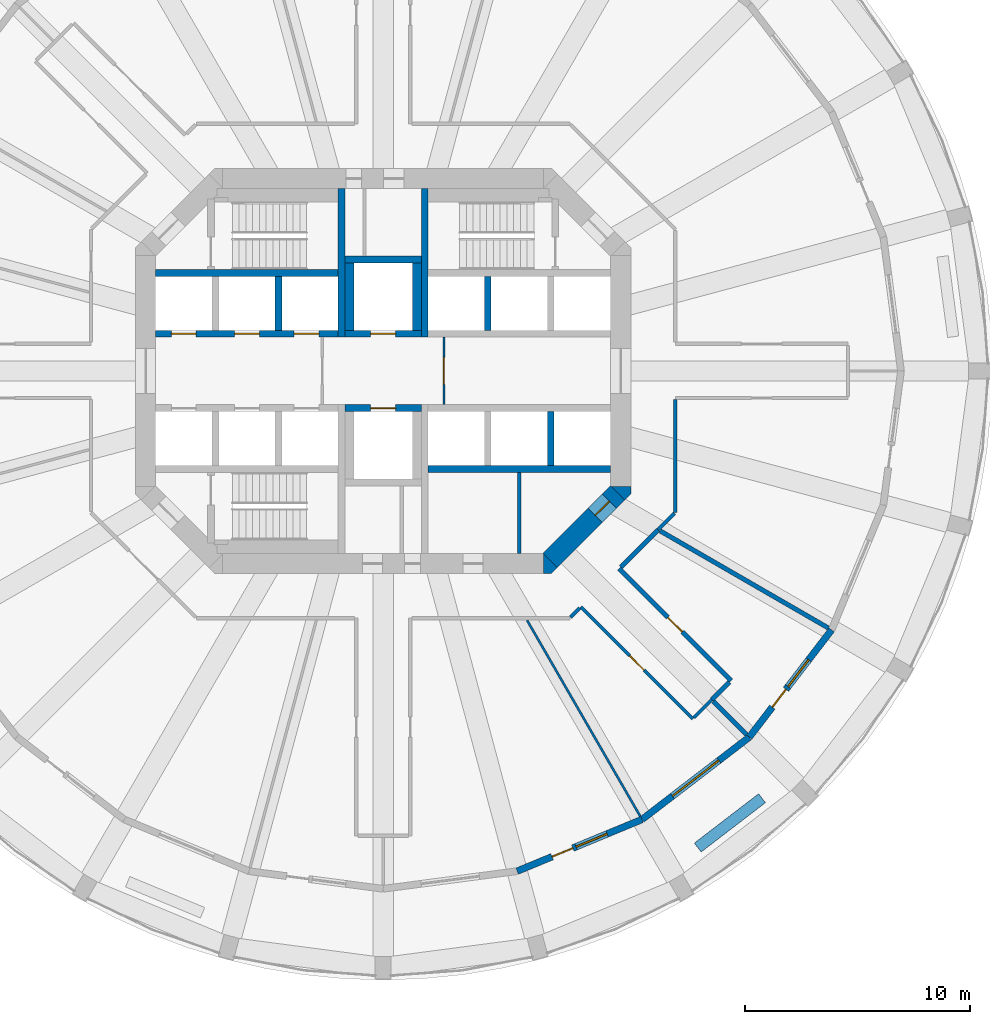
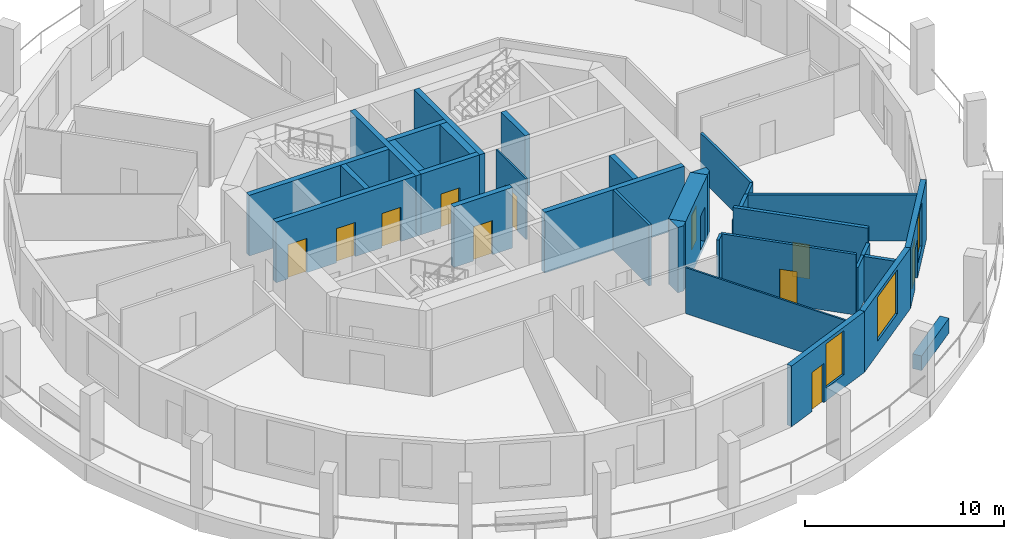
# One storey, part 4 of 9: 33 walls, 11 doors, 3 windows, 14 openings.
"""IFC4 building model written with IfcOpenShell, lengths in metres."""

from ifc_helpers import new_model, si_unit, direction, frame, frame_2d, origin, place, context, subcontext, project, spatial, polyline, rectangle, outline, extrude, material, layer, layer_set, type_object, element, fill, save


model = new_model("IFC4")

# Units and contexts
model_context = context("Model", 3, precision=1e-05, world=origin(), true_north=direction((0.0, 1.0)))
body_context = subcontext(model_context, "Body", "Model", "MODEL_VIEW")
ifc_project = project(units=[si_unit("LENGTHUNIT", "METRE"), si_unit("AREAUNIT", "SQUARE_METRE"), si_unit("VOLUMEUNIT", "CUBIC_METRE"), si_unit("PLANEANGLEUNIT", "RADIAN"), si_unit("MASSUNIT", "GRAM", prefix="KILO")], contexts=[model_context])

# Site, building, storey
site_placement = place(None, origin())
site = spatial("IfcSite", under=ifc_project, at=site_placement, CompositionType="ELEMENT")
building_placement = place(site_placement, origin())
building = spatial("IfcBuilding", under=site, at=building_placement, Name="Torre Triforio", CompositionType="ELEMENT")
storey_placement = place(building_placement, frame((0.0, 0.0, 27.0)))
storey = spatial("IfcBuildingStorey", under=building, at=storey_placement, Name="L04", CompositionType="ELEMENT", Elevation=27.0)

# Walls
ifc_material_1 = material(Name="Concrete C60", Category="concrete")
ifc_layer_1 = layer(ifc_material_1, 0.300048828125)
ifc_layer_set_1 = layer_set([ifc_layer_1], Name="Concrete C60")
wall_type_1 = type_object("IfcWallType", Name="Core wall 300 mm C60 EI 120", PredefinedType="SHEAR", material=ifc_layer_set_1)
for number, where, z_axis, x_axis, name in (
    (1, (-1.85009765625, 1.5, 0.0), (0.0, 0.0, 1.0), (0.0, 1.0, 0.0), "Core wall"),
    (2, (1.85009765625, 1.5, 0.0), (0.0, 0.0, 1.0), (0.0, 1.0, 0.0), "Core wall"),
):
    element("IfcWall", number, at=place(storey_placement, frame(where, z_axis=z_axis, x_axis=x_axis)), inside=storey, type_object=wall_type_1, Name=name, PredefinedType="SHEAR", context=body_context, shape_type="SweptSolid", body=[
        extrude(rectangle(XDim=6.60009765625, YDim=0.300048828125, at=frame_2d((3.300048828125, 0.0))), origin(), (0.0, 0.0, 1.0), 3.719970703125),
    ])

# Wall, opening, door
ifc_layer_2 = layer(ifc_material_1, 0.89990234375)
ifc_layer_set_2 = layer_set([ifc_layer_2], Name="Concrete C60")
wall_type_2 = type_object("IfcWallType", Name="Core wall 900 mm C60 EI 120", PredefinedType="SHEAR", material=ifc_layer_set_2)
wall_1_placement = place(storey_placement, frame((10.418212890625, -5.418212890625, -0.280029296875), z_axis=(0.0, 0.0, 1.0), x_axis=(-0.707106781187, -0.707106781187, 0.0)))
wall_1 = element("IfcWall", 3, at=wall_1_placement, inside=storey, type_object=wall_type_2, Name="Core wall", PredefinedType="SHEAR", context=body_context, shape_type="SweptSolid", body=[
    extrude(rectangle(XDim=4.24267578125, YDim=0.89990234375, at=frame_2d((2.121337890625, 0.0))), origin(), (0.0, 0.0, 1.0), 4.0),
])
opening_1_placement = place(wall_1_placement, frame((0.52001953125, 0.0, 0.280029296875)))
opening_1 = element("IfcOpeningElement", 4, at=opening_1_placement, cuts=wall_1, Name="Opening SE-02", PredefinedType="OPENING", context=body_context, shape_type="SweptSolid", body=[
    extrude(rectangle(XDim=0.89990234375, YDim=2.10009765625, at=frame_2d((0.449951171875, 1.050048828125))), frame((0.0, 0.4599609375, 0.0), z_axis=(0.0, -1.0, 0.0), x_axis=(1.0, 0.0, 0.0)), (0.0, 0.0, 1.0), 0.919921875),
])
ifc_material_2 = material(Name="Hollow metal fire door leaf")
door_type_1 = type_object("IfcDoorType", Name="Room door 900 x 2100 EI 60", OperationType="NOTDEFINED", PredefinedType="DOOR", material=ifc_material_2)
door_1_placement = place(opening_1_placement, origin())
door_1 = element("IfcDoor", 5, at=door_1_placement, inside=storey, type_object=door_type_1, Name="Core door SE-02", OperationType="SINGLE_SWING_RIGHT", OverallHeight=2.10009765625, OverallWidth=0.89990234375, PredefinedType="DOOR", context=body_context, shape_type="SweptSolid", body=[
    extrude(rectangle(XDim=0.89990234375, YDim=2.10009765625, at=frame_2d((0.449951171875, 1.050048828125))), frame((0.0, 0.02490234375, 0.0), z_axis=(0.0, -1.0, 0.0), x_axis=(1.0, 0.0, 0.0)), (0.0, 0.0, 1.0), 0.050048828125),
])
fill(opening_1, door_1)

# Walls
wall_2_placement = place(storey_placement, frame((0.0, 0.0, -0.280029296875)))
element("IfcWall", 6, at=wall_2_placement, inside=storey, type_object=wall_type_2, Name="Core wall", PredefinedType="SHEAR", context=body_context, shape_type="SweptSolid", body=[
    extrude(outline(polyline([(7.472900390625, -9.0), (7.1298828125, -9.0), (7.1298828125, -8.1298828125), (7.736328125, -8.736328125), (7.472900390625, -9.0)])), origin(), (0.0, 0.0, 1.0), 4.0),
])
wall_3_placement = place(storey_placement, frame((0.0, 0.0, -0.280029296875)))
element("IfcWall", 7, at=wall_3_placement, inside=storey, type_object=wall_type_2, Name="Core wall", PredefinedType="SHEAR", context=body_context, shape_type="SweptSolid", body=[
    extrude(outline(polyline([(11.0, -5.472900390625), (10.736328125, -5.736328125), (10.1298828125, -5.1298828125), (11.0, -5.1298828125), (11.0, -5.472900390625)])), origin(), (0.0, 0.0, 1.0), 4.0),
])
ifc_material_3 = material(Name="Plasterboard on metal studs")
ifc_layer_3 = layer(ifc_material_3, 0.14990234375)
ifc_layer_set_3 = layer_set([ifc_layer_3], Name="Plasterboard on metal studs")
wall_type_3 = type_object("IfcWallType", Name="Corridor and tenancy wall 150 mm EI 60", PredefinedType="PARTITIONING", material=ifc_layer_set_3)
wall_4_placement = place(storey_placement, frame((14.600830078125, -14.600830078125, 0.0), z_axis=(0.0, 0.0, 1.0), x_axis=(-0.707106781187, -0.707106781187, 0.0)))
element("IfcWall", 8, at=wall_4_placement, inside=storey, type_object=wall_type_3, Name="Partition 2", PredefinedType="PARTITIONING", context=body_context, shape_type="SweptSolid", body=[
    extrude(rectangle(XDim=1.125, YDim=0.14990234375, at=frame_2d((0.5625, 0.0))), origin(), (0.0, 0.0, 1.0), 2.820068359375),
])

# Wall, opening, door
wall_5_placement = place(storey_placement, frame((13.752197265625, -15.449462890625, 0.0), z_axis=(0.0, 0.0, 1.0), x_axis=(-0.707089406061, 0.707124155885, 0.0)))
wall_5 = element("IfcWall", 9, at=wall_5_placement, inside=storey, type_object=wall_type_3, Name="Partition 3", PredefinedType="PARTITIONING", context=body_context, shape_type="SweptSolid", body=[
    extrude(rectangle(XDim=7.025634765625, YDim=0.14990234375, at=frame_2d((3.5126953125, 0.0))), origin(), (0.0, 0.0, 1.0), 3.719970703125),
])
opening_2_placement = place(wall_5_placement, frame((3.062744140625, 0.0, 0.0)))
opening_2 = element("IfcOpeningElement", 10, at=opening_2_placement, cuts=wall_5, Name="Opening N1-12", PredefinedType="OPENING", context=body_context, shape_type="SweptSolid", body=[
    extrude(rectangle(XDim=0.89990234375, YDim=2.10009765625, at=frame_2d((0.449951171875, 1.050048828125))), frame((0.0, 0.0849609375, 0.0), z_axis=(0.0, -1.0, 0.0), x_axis=(1.0, 0.0, 0.0)), (0.0, 0.0, 1.0), 0.169921875),
])
ifc_material_4 = material(Name="Timber", Category="wood")
door_type_2 = type_object("IfcDoorType", Name="Door 900 x 2100 single leaf EI 30", OperationType="NOTDEFINED", PredefinedType="DOOR", material=ifc_material_4)
door_2_placement = place(opening_2_placement, origin())
door_2 = element("IfcDoor", 11, at=door_2_placement, inside=storey, type_object=door_type_2, Name="Door N1-12", OperationType="SINGLE_SWING_LEFT", OverallHeight=2.10009765625, OverallWidth=0.89990234375, PredefinedType="DOOR", context=body_context, shape_type="SweptSolid", body=[
    extrude(rectangle(XDim=0.89990234375, YDim=2.10009765625, at=frame_2d((0.449951171875, 1.050048828125))), frame((0.0, 0.02490234375, 0.0), z_axis=(0.0, -1.0, 0.0), x_axis=(1.0, 0.0, 0.0)), (0.0, 0.0, 1.0), 0.050048828125),
])
fill(opening_2, door_2)

# Walls
wall_6_placement = place(storey_placement, frame((8.7314453125, -10.534423828125, 0.0), z_axis=(0.0, 0.0, 1.0), x_axis=(-0.707106781187, -0.707106781187, 0.0)))
element("IfcWall", 12, at=wall_6_placement, inside=storey, type_object=wall_type_3, Name="Partition 4", PredefinedType="PARTITIONING", context=body_context, shape_type="SweptSolid", body=[
    extrude(rectangle(XDim=0.57080078125, YDim=0.14990234375, at=frame_2d((0.285400390625, 0.0))), origin(), (0.0, 0.0, 1.0), 3.719970703125),
])
wall_7_placement = place(storey_placement, frame((12.97509765625, -1.27490234375, 0.0), z_axis=(0.0, 0.0, 1.0), x_axis=(0.0, -1.0, 0.0)))
element("IfcWall", 13, at=wall_7_placement, inside=storey, type_object=wall_type_3, Name="Partition 31", PredefinedType="PARTITIONING", context=body_context, shape_type="SweptSolid", body=[
    extrude(rectangle(XDim=5.01611328125, YDim=0.14990234375, at=frame_2d((2.508056640625, 0.0))), origin(), (0.0, 0.0, 1.0), 2.820068359375),
])
wall_8_placement = place(storey_placement, frame((12.93798828125, -6.327880859375, 0.0), z_axis=(0.0, 0.0, 1.0), x_axis=(-0.707106781187, -0.707106781187, 0.0)))
element("IfcWall", 14, at=wall_8_placement, inside=storey, type_object=wall_type_3, Name="Partition 32", PredefinedType="PARTITIONING", context=body_context, shape_type="SweptSolid", body=[
    extrude(rectangle(XDim=1.023681640625, YDim=0.14990234375, at=frame_2d((0.51171875, 0.0))), origin(), (0.0, 0.0, 1.0), 2.820068359375),
])

# Wall, opening, door
ifc_material_5 = material(Name="Block and board partition")
ifc_layer_4 = layer(ifc_material_5, 0.10009765625)
ifc_layer_set_4 = layer_set([ifc_layer_4], Name="Block and board partition")
wall_type_4 = type_object("IfcWallType", Name="Partition 100 mm EI 120", PredefinedType="PARTITIONING", material=ifc_layer_set_4)
wall_9_placement = place(storey_placement, frame((2.699951171875, -1.5, 0.0), z_axis=(0.0, 0.0, 1.0), x_axis=(0.0, 1.0, 0.0)))
wall_9 = element("IfcWall", 15, at=wall_9_placement, inside=storey, type_object=wall_type_4, Name="Partition", PredefinedType="PARTITIONING", context=body_context, shape_type="SweptSolid", body=[
    extrude(rectangle(XDim=3.0, YDim=0.10009765625, at=frame_2d((1.5, 0.0))), origin(), (0.0, 0.0, 1.0), 3.719970703125),
])
opening_3_placement = place(wall_9_placement, frame((0.89990234375, 0.0, 0.0)))
opening_3 = element("IfcOpeningElement", 16, at=opening_3_placement, cuts=wall_9, Name="Opening FF-E", PredefinedType="OPENING", context=body_context, shape_type="SweptSolid", body=[
    extrude(rectangle(XDim=1.199951171875, YDim=2.10009765625, at=frame_2d((0.60009765625, 1.050048828125))), frame((0.0, 0.06005859375, 0.0), z_axis=(0.0, -1.0, 0.0), x_axis=(1.0, 0.0, 0.0)), (0.0, 0.0, 1.0), 0.1201171875),
])
door_type_3 = type_object("IfcDoorType", Name="Fire-fighting lobby door 1200 x 2100 EI 60", OperationType="NOTDEFINED", PredefinedType="DOOR", material=ifc_material_2)
door_3_placement = place(opening_3_placement, origin())
door_3 = element("IfcDoor", 17, at=door_3_placement, inside=storey, type_object=door_type_3, Name="Core door FF-E", OperationType="SINGLE_SWING_LEFT", OverallHeight=2.10009765625, OverallWidth=1.199951171875, PredefinedType="DOOR", context=body_context, shape_type="SweptSolid", body=[
    extrude(rectangle(XDim=1.199951171875, YDim=2.10009765625, at=frame_2d((0.60009765625, 1.050048828125))), frame((0.0, 0.02490234375, 0.0), z_axis=(0.0, -1.0, 0.0), x_axis=(1.0, 0.0, 0.0)), (0.0, 0.0, 1.0), 0.050048828125),
])
fill(opening_3, door_3)

# Walls
ifc_layer_5 = layer(ifc_material_3, 0.10009765625)
ifc_layer_set_5 = layer_set([ifc_layer_5], Name="Plasterboard on metal studs")
wall_type_5 = type_object("IfcWallType", Name="Partition 100 mm board on metal studs", PredefinedType="PARTITIONING", material=ifc_layer_set_5)
wall_10_placement = place(storey_placement, frame((6.393798828125, -11.07470703125, 0.0), z_axis=(0.0, 0.0, 1.0), x_axis=(0.500024592647, -0.866011204747, 0.0)))
element("IfcWall", 18, at=wall_10_placement, inside=storey, type_object=wall_type_5, Name="Partition 46", PredefinedType="PARTITIONING", context=body_context, shape_type="SweptSolid", body=[
    extrude(rectangle(XDim=10.048828125, YDim=0.10009765625, at=frame_2d((5.0244140625, 0.0))), origin(), (0.0, 0.0, 1.0), 2.820068359375),
])
ifc_layer_6 = layer(ifc_material_5, 0.14990234375)
ifc_layer_set_6 = layer_set([ifc_layer_6], Name="Block and board partition")
wall_type_6 = type_object("IfcWallType", Name="Partition 150 mm", PredefinedType="PARTITIONING", material=ifc_layer_set_6)
wall_11_placement = place(storey_placement, frame((6.050048828125, -8.10009765625, 0.0), z_axis=(0.0, 0.0, 1.0), x_axis=(0.0, 1.0, 0.0)))
element("IfcWall", 19, at=wall_11_placement, inside=storey, type_object=wall_type_6, Name="Partition", PredefinedType="PARTITIONING", context=body_context, shape_type="SweptSolid", body=[
    extrude(rectangle(XDim=3.60009765625, YDim=0.14990234375, at=frame_2d((1.800048828125, 0.0))), origin(), (0.0, 0.0, 1.0), 3.719970703125),
])
ifc_material_6 = material(Name="Masonry block", Category="masonry")
ifc_layer_7 = layer(ifc_material_6, 0.199951171875)
ifc_layer_set_7 = layer_set([ifc_layer_7], Name="Masonry block")
wall_type_7 = type_object("IfcWallType", Name="Plant room wall 200 mm block EI 120", PredefinedType="PARTITIONING", material=ifc_layer_set_7)
wall_12_placement = place(storey_placement, frame((15.378662109375, -13.822998046875, 0.0), z_axis=(0.0, 0.0, 1.0), x_axis=(-0.707106781187, -0.707106781187, 0.0)))
element("IfcWall", 20, at=wall_12_placement, inside=storey, type_object=wall_type_7, Name="Partition 1", PredefinedType="PARTITIONING", context=body_context, shape_type="SweptSolid", body=[
    extrude(rectangle(XDim=1.10009765625, YDim=0.199951171875, at=frame_2d((0.550048828125, 0.0))), origin(), (0.0, 0.0, 1.0), 2.820068359375),
])
wall_13_placement = place(storey_placement, frame((12.214111328125, -7.0517578125, 0.0), z_axis=(0.0, 0.0, 1.0), x_axis=(-0.707106781187, -0.707106781187, 0.0)))
element("IfcWall", 21, at=wall_13_placement, inside=storey, type_object=wall_type_7, Name="Partition 33", PredefinedType="PARTITIONING", context=body_context, shape_type="SweptSolid", body=[
    extrude(rectangle(XDim=2.350341796875, YDim=0.199951171875, at=frame_2d((1.17529296875, 0.0))), origin(), (0.0, 0.0, 1.0), 2.820068359375),
])

# Wall, opening, door
wall_14_placement = place(storey_placement, frame((10.4814453125, -8.784423828125, 0.0), z_axis=(0.0, 0.0, 1.0), x_axis=(0.707124155885, -0.707089406061, 0.0)))
wall_14 = element("IfcWall", 22, at=wall_14_placement, inside=storey, type_object=wall_type_7, Name="Partition 34", PredefinedType="PARTITIONING", context=body_context, shape_type="SweptSolid", body=[
    extrude(rectangle(XDim=7.025634765625, YDim=0.199951171875, at=frame_2d((3.5126953125, 0.0))), origin(), (0.0, 0.0, 1.0), 3.719970703125),
])
opening_4_placement = place(wall_14_placement, frame((3.062744140625, 0.0, 0.0)))
opening_4 = element("IfcOpeningElement", 23, at=opening_4_placement, cuts=wall_14, Name="Opening N1-13", PredefinedType="OPENING", context=body_context, shape_type="SweptSolid", body=[
    extrude(rectangle(XDim=0.89990234375, YDim=2.10009765625, at=frame_2d((0.449951171875, 1.050048828125))), frame((0.0, 0.10986328125, 0.0), z_axis=(0.0, -1.0, 0.0), x_axis=(1.0, 0.0, 0.0)), (0.0, 0.0, 1.0), 0.219970703125),
])
door_type_4 = type_object("IfcDoorType", Name="Door 900 x 2100 single leaf EI 60", OperationType="NOTDEFINED", PredefinedType="DOOR", material=ifc_material_2)
door_4_placement = place(opening_4_placement, origin())
door_4 = element("IfcDoor", 24, at=door_4_placement, inside=storey, type_object=door_type_4, Name="Door N1-13", OperationType="SINGLE_SWING_RIGHT", OverallHeight=2.10009765625, OverallWidth=0.89990234375, PredefinedType="DOOR", context=body_context, shape_type="SweptSolid", body=[
    extrude(rectangle(XDim=0.89990234375, YDim=2.10009765625, at=frame_2d((0.449951171875, 1.050048828125))), frame((0.0, 0.02490234375, 0.0), z_axis=(0.0, -1.0, 0.0), x_axis=(1.0, 0.0, 0.0)), (0.0, 0.0, 1.0), 0.050048828125),
])
fill(opening_4, door_4)

# Walls
wall_15_placement = place(storey_placement, frame((14.671630859375, -14.671630859375, 0.0), z_axis=(0.0, 0.0, 1.0), x_axis=(0.707106781187, -0.707106781187, 0.0)))
element("IfcWall", 25, at=wall_15_placement, inside=storey, type_object=wall_type_7, Name="Partition 47", PredefinedType="PARTITIONING", context=body_context, shape_type="SweptSolid", body=[
    extrude(rectangle(XDim=2.087890625, YDim=0.199951171875, at=frame_2d((1.0439453125, 0.0))), origin(), (0.0, 0.0, 1.0), 2.820068359375),
])
wall_16_placement = place(storey_placement, frame((12.304931640625, -7.104248046875, 0.0), z_axis=(0.0, 0.0, 1.0), x_axis=(0.866017835858, -0.500013107804, 0.0)))
element("IfcWall", 26, at=wall_16_placement, inside=storey, type_object=wall_type_7, Name="Partition 48", PredefinedType="PARTITIONING", context=body_context, shape_type="SweptSolid", body=[
    extrude(rectangle(XDim=8.628173828125, YDim=0.199951171875, at=frame_2d((4.31396484375, 0.0))), origin(), (0.0, 0.0, 1.0), 2.820068359375),
])
ifc_material_7 = material(Name="Limestone cladding", Category="masonry")
ifc_layer_8 = layer(ifc_material_7, 0.10009765625)
ifc_material_8 = material(Name="Concrete C40", Category="concrete")
ifc_layer_9 = layer(ifc_material_8, 0.39990234375)
ifc_layer_set_8 = layer_set([ifc_layer_8, ifc_layer_9], Name="Limestone cladding / Concrete C40")
wall_type_8 = type_object("IfcWallType", Name="Planter wall 500", PredefinedType="PARAPET", material=ifc_layer_set_8)
wall_17_placement = place(storey_placement, frame((13.9736328125, -21.16748046875, 0.0), z_axis=(0.0, 0.0, 1.0), x_axis=(0.793359599829, 0.608753271334, 0.0)))
element("IfcWall", 27, at=wall_17_placement, inside=storey, type_object=wall_type_8, Name="Planter L04 bay 21", PredefinedType="PARAPET", context=body_context, shape_type="SweptSolid", body=[
    extrude(rectangle(XDim=3.599853515625, YDim=0.5, at=frame_2d((1.7998046875, 0.0))), origin(), (0.0, 0.0, 1.0), 0.89990234375),
])
ifc_layer_10 = layer(ifc_material_1, 0.300048828125)
ifc_layer_set_9 = layer_set([ifc_layer_10], Name="Concrete C60")
wall_type_9 = type_object("IfcWallType", Name="Shaft wall 300 mm C60 EI 120", PredefinedType="SOLIDWALL", material=ifc_layer_set_9)
for number, where, z_axis, x_axis, name in (
    (28, (-10.10009765625, 4.35009765625, 0.0), (0.0, 0.0, 1.0), (1.0, 0.0, 0.0), "Shaft wall"),
    (29, (2.0, -4.35009765625, 0.0), (0.0, 0.0, 1.0), (1.0, 0.0, 0.0), "Shaft wall"),
):
    element("IfcWall", number, at=place(storey_placement, frame(where, z_axis=z_axis, x_axis=x_axis)), inside=storey, type_object=wall_type_9, Name=name, PredefinedType="SOLIDWALL", context=body_context, shape_type="SweptSolid", body=[
        extrude(rectangle(XDim=8.10009765625, YDim=0.300048828125, at=frame_2d((4.050048828125, 0.0))), origin(), (0.0, 0.0, 1.0), 3.719970703125),
    ])

# Wall, openings, doors
wall_18_placement = place(storey_placement, frame((-10.10009765625, 1.64990234375, 0.0), z_axis=(0.0, 0.0, 1.0), x_axis=(1.0, 0.0, 0.0)))
wall_18 = element("IfcWall", 30, at=wall_18_placement, inside=storey, type_object=wall_type_9, Name="Shaft wall", PredefinedType="SOLIDWALL", context=body_context, shape_type="SweptSolid", body=[
    extrude(rectangle(XDim=8.10009765625, YDim=0.300048828125, at=frame_2d((4.050048828125, 0.0))), origin(), (0.0, 0.0, 1.0), 3.719970703125),
])
opening_5_placement = place(wall_18_placement, frame((0.699951171875, 0.0, 0.0)))
opening_5 = element("IfcOpeningElement", 31, at=opening_5_placement, cuts=wall_18, Name="Opening LD", PredefinedType="OPENING", context=body_context, shape_type="SweptSolid", body=[
    extrude(rectangle(XDim=1.10009765625, YDim=2.10009765625, at=frame_2d((0.550048828125, 1.050048828125))), frame((0.0, 0.159912109375, 0.0), z_axis=(0.0, -1.0, 0.0), x_axis=(1.0, 0.0, 0.0)), (0.0, 0.0, 1.0), 0.320068359375),
])
opening_6_placement = place(wall_18_placement, frame((3.5, 0.0, 0.0)))
opening_6 = element("IfcOpeningElement", 32, at=opening_6_placement, cuts=wall_18, Name="Opening LD", PredefinedType="OPENING", context=body_context, shape_type="SweptSolid", body=[
    extrude(rectangle(XDim=1.10009765625, YDim=2.10009765625, at=frame_2d((0.550048828125, 1.050048828125))), frame((0.0, 0.159912109375, 0.0), z_axis=(0.0, -1.0, 0.0), x_axis=(1.0, 0.0, 0.0)), (0.0, 0.0, 1.0), 0.320068359375),
])
opening_7_placement = place(wall_18_placement, frame((6.14990234375, 0.0, 0.0)))
opening_7 = element("IfcOpeningElement", 33, at=opening_7_placement, cuts=wall_18, Name="Opening LD", PredefinedType="OPENING", context=body_context, shape_type="SweptSolid", body=[
    extrude(rectangle(XDim=1.10009765625, YDim=2.10009765625, at=frame_2d((0.550048828125, 1.050048828125))), frame((0.0, 0.159912109375, 0.0), z_axis=(0.0, -1.0, 0.0), x_axis=(1.0, 0.0, 0.0)), (0.0, 0.0, 1.0), 0.320068359375),
])
door_type_5 = type_object("IfcDoorType", Name="Landing door 1100 x 2100 EI 60", OperationType="DOUBLE_DOOR_SLIDING", PredefinedType="DOOR", material=ifc_material_2)
door_5_placement = place(opening_5_placement, origin())
door_5 = element("IfcDoor", 34, at=door_5_placement, inside=storey, type_object=door_type_5, Name="Landing door LR1", OperationType="DOUBLE_DOOR_SLIDING", OverallHeight=2.10009765625, OverallWidth=1.10009765625, PredefinedType="DOOR", context=body_context, shape_type="SweptSolid", body=[
    extrude(rectangle(XDim=1.10009765625, YDim=2.10009765625, at=frame_2d((0.550048828125, 1.050048828125))), frame((0.0, 0.02490234375, 0.0), z_axis=(0.0, -1.0, 0.0), x_axis=(1.0, 0.0, 0.0)), (0.0, 0.0, 1.0), 0.050048828125),
])
fill(opening_5, door_5)
door_6_placement = place(opening_6_placement, origin())
door_6 = element("IfcDoor", 35, at=door_6_placement, inside=storey, type_object=door_type_5, Name="Landing door LR2", OperationType="DOUBLE_DOOR_SLIDING", OverallHeight=2.10009765625, OverallWidth=1.10009765625, PredefinedType="DOOR", context=body_context, shape_type="SweptSolid", body=[
    extrude(rectangle(XDim=1.10009765625, YDim=2.10009765625, at=frame_2d((0.550048828125, 1.050048828125))), frame((0.0, 0.02490234375, 0.0), z_axis=(0.0, -1.0, 0.0), x_axis=(1.0, 0.0, 0.0)), (0.0, 0.0, 1.0), 0.050048828125),
])
fill(opening_6, door_6)
door_7_placement = place(opening_7_placement, origin())
door_7 = element("IfcDoor", 36, at=door_7_placement, inside=storey, type_object=door_type_5, Name="Landing door LR3", OperationType="DOUBLE_DOOR_SLIDING", OverallHeight=2.10009765625, OverallWidth=1.10009765625, PredefinedType="DOOR", context=body_context, shape_type="SweptSolid", body=[
    extrude(rectangle(XDim=1.10009765625, YDim=2.10009765625, at=frame_2d((0.550048828125, 1.050048828125))), frame((0.0, 0.02490234375, 0.0), z_axis=(0.0, -1.0, 0.0), x_axis=(1.0, 0.0, 0.0)), (0.0, 0.0, 1.0), 0.050048828125),
])
fill(opening_7, door_7)

# Walls
for number, where, z_axis, x_axis, name in (
    (37, (-4.64990234375, 1.800048828125, 0.0), (0.0, 0.0, 1.0), (0.0, 1.0, 0.0), "Shaft wall"),
    (38, (4.64990234375, 1.800048828125, 0.0), (0.0, 0.0, 1.0), (0.0, 1.0, 0.0), "Shaft wall"),
    (39, (7.449951171875, -4.199951171875, 0.0), (0.0, 0.0, 1.0), (0.0, 1.0, 0.0), "Shaft wall"),
):
    element("IfcWall", number, at=place(storey_placement, frame(where, z_axis=z_axis, x_axis=x_axis)), inside=storey, type_object=wall_type_9, Name=name, PredefinedType="SOLIDWALL", context=body_context, shape_type="SweptSolid", body=[
        extrude(rectangle(XDim=2.39990234375, YDim=0.300048828125, at=frame_2d((1.199951171875, 0.0))), origin(), (0.0, 0.0, 1.0), 3.719970703125),
    ])

# Wall, opening, door
wall_19_placement = place(storey_placement, frame((-1.699951171875, 1.64990234375, 0.0), z_axis=(0.0, 0.0, 1.0), x_axis=(1.0, 0.0, 0.0)))
wall_19 = element("IfcWall", 40, at=wall_19_placement, inside=storey, type_object=wall_type_9, Name="Shaft wall", PredefinedType="SOLIDWALL", context=body_context, shape_type="SweptSolid", body=[
    extrude(rectangle(XDim=3.39990234375, YDim=0.300048828125, at=frame_2d((1.699951171875, 0.0))), origin(), (0.0, 0.0, 1.0), 3.719970703125),
])
opening_8_placement = place(wall_19_placement, frame((1.14990234375, 0.0, 0.0)))
opening_8 = element("IfcOpeningElement", 41, at=opening_8_placement, cuts=wall_19, Name="Opening LD", PredefinedType="OPENING", context=body_context, shape_type="SweptSolid", body=[
    extrude(rectangle(XDim=1.10009765625, YDim=2.10009765625, at=frame_2d((0.550048828125, 1.050048828125))), frame((0.0, 0.159912109375, 0.0), z_axis=(0.0, -1.0, 0.0), x_axis=(1.0, 0.0, 0.0)), (0.0, 0.0, 1.0), 0.320068359375),
])
door_8_placement = place(opening_8_placement, origin())
door_8 = element("IfcDoor", 42, at=door_8_placement, inside=storey, type_object=door_type_5, Name="Landing door FFL1", OperationType="DOUBLE_DOOR_SLIDING", OverallHeight=2.10009765625, OverallWidth=1.10009765625, PredefinedType="DOOR", context=body_context, shape_type="SweptSolid", body=[
    extrude(rectangle(XDim=1.10009765625, YDim=2.10009765625, at=frame_2d((0.550048828125, 1.050048828125))), frame((0.0, 0.02490234375, 0.0), z_axis=(0.0, -1.0, 0.0), x_axis=(1.0, 0.0, 0.0)), (0.0, 0.0, 1.0), 0.050048828125),
])
fill(opening_8, door_8)

wall_20_placement = place(storey_placement, frame((-1.699951171875, -1.64990234375, 0.0), z_axis=(0.0, 0.0, 1.0), x_axis=(1.0, 0.0, 0.0)))
wall_20 = element("IfcWall", 43, at=wall_20_placement, inside=storey, type_object=wall_type_9, Name="Shaft wall", PredefinedType="SOLIDWALL", context=body_context, shape_type="SweptSolid", body=[
    extrude(rectangle(XDim=3.39990234375, YDim=0.300048828125, at=frame_2d((1.699951171875, 0.0))), origin(), (0.0, 0.0, 1.0), 3.719970703125),
])
opening_9_placement = place(wall_20_placement, frame((1.14990234375, 0.0, 0.0)))
opening_9 = element("IfcOpeningElement", 44, at=opening_9_placement, cuts=wall_20, Name="Opening LD", PredefinedType="OPENING", context=body_context, shape_type="SweptSolid", body=[
    extrude(rectangle(XDim=1.10009765625, YDim=2.10009765625, at=frame_2d((0.550048828125, 1.050048828125))), frame((0.0, 0.159912109375, 0.0), z_axis=(0.0, -1.0, 0.0), x_axis=(1.0, 0.0, 0.0)), (0.0, 0.0, 1.0), 0.320068359375),
])
door_9_placement = place(opening_9_placement, origin())
door_9 = element("IfcDoor", 45, at=door_9_placement, inside=storey, type_object=door_type_5, Name="Landing door FFL2", OperationType="DOUBLE_DOOR_SLIDING", OverallHeight=2.10009765625, OverallWidth=1.10009765625, PredefinedType="DOOR", context=body_context, shape_type="SweptSolid", body=[
    extrude(rectangle(XDim=1.10009765625, YDim=2.10009765625, at=frame_2d((0.550048828125, 1.050048828125))), frame((0.0, 0.02490234375, 0.0), z_axis=(0.0, -1.0, 0.0), x_axis=(1.0, 0.0, 0.0)), (0.0, 0.0, 1.0), 0.050048828125),
])
fill(opening_9, door_9)

# Walls
wall_21_placement = place(storey_placement, frame((-1.699951171875, 4.949951171875, 0.0), z_axis=(0.0, 0.0, 1.0), x_axis=(1.0, 0.0, 0.0)))
element("IfcWall", 46, at=wall_21_placement, inside=storey, type_object=wall_type_9, Name="Shaft wall", PredefinedType="SOLIDWALL", context=body_context, shape_type="SweptSolid", body=[
    extrude(rectangle(XDim=3.39990234375, YDim=0.300048828125, at=frame_2d((1.699951171875, 0.0))), origin(), (0.0, 0.0, 1.0), 3.719970703125),
])
ifc_layer_11 = layer(ifc_material_1, 0.39990234375)
ifc_layer_set_10 = layer_set([ifc_layer_11], Name="Concrete C60")
wall_type_10 = type_object("IfcWallType", Name="Shaft wall 400 mm C60 EI 120", PredefinedType="SOLIDWALL", material=ifc_layer_set_10)
for number, where, z_axis, x_axis, name in (
    (47, (-1.5, 1.800048828125, 0.0), (0.0, 0.0, 1.0), (0.0, 1.0, 0.0), "Shaft wall"),
    (48, (1.5, 1.800048828125, 0.0), (0.0, 0.0, 1.0), (0.0, 1.0, 0.0), "Shaft wall"),
):
    element("IfcWall", number, at=place(storey_placement, frame(where, z_axis=z_axis, x_axis=x_axis)), inside=storey, type_object=wall_type_10, Name=name, PredefinedType="SOLIDWALL", context=body_context, shape_type="SweptSolid", body=[
        extrude(rectangle(XDim=3.0, YDim=0.39990234375, at=frame_2d((1.5, 0.0))), origin(), (0.0, 0.0, 1.0), 3.719970703125),
    ])

# Wall, openings, door, window
ifc_layer_12 = layer(ifc_material_7, 0.10009765625)
ifc_layer_13 = layer(ifc_material_8, 0.199951171875)
ifc_layer_set_11 = layer_set([ifc_layer_12, ifc_layer_13], Name="Limestone cladding / Concrete C40")
wall_type_11 = type_object("IfcWallType", Name="Stone-faced composite wall 300", PredefinedType="STANDARD", material=ifc_layer_set_11)
wall_22_placement = place(storey_placement, frame((5.952880859375, -22.21630859375, 0.0), z_axis=(0.0, 0.0, 1.0), x_axis=(0.923884511653, 0.382671411433, 0.0)))
wall_22 = element("IfcWall", 49, at=wall_22_placement, inside=storey, type_object=wall_type_11, Name="External wall L04 bay 20", PredefinedType="STANDARD", context=body_context, shape_type="SweptSolid", body=[
    extrude(rectangle(XDim=6.004150390625, YDim=0.300048828125, at=frame_2d((3.001953125, 0.0))), origin(), (0.0, 0.0, 1.0), 3.719970703125),
])
opening_10_placement = place(wall_22_placement, frame((1.677001953125, 0.0, 0.0)))
opening_10 = element("IfcOpeningElement", 50, at=opening_10_placement, cuts=wall_22, Name="Opening N1-D20", PredefinedType="OPENING", context=body_context, shape_type="SweptSolid", body=[
    extrude(rectangle(XDim=1.0, YDim=2.39990234375, at=frame_2d((0.5, 1.199951171875))), frame((0.0, 0.159912109375, 0.0), z_axis=(0.0, -1.0, 0.0), x_axis=(1.0, 0.0, 0.0)), (0.0, 0.0, 1.0), 0.320068359375),
])
opening_11_placement = place(wall_22_placement, frame((2.8271484375, 0.0, 0.800048828125)))
opening_11 = element("IfcOpeningElement", 51, at=opening_11_placement, cuts=wall_22, Name="Opening N1-W20A", PredefinedType="OPENING", context=body_context, shape_type="SweptSolid", body=[
    extrude(rectangle(XDim=1.5, YDim=2.699951171875, at=frame_2d((0.75, 1.35009765625))), frame((0.0, 0.159912109375, 0.0), z_axis=(0.0, -1.0, 0.0), x_axis=(1.0, 0.0, 0.0)), (0.0, 0.0, 1.0), 0.320068359375),
])
ifc_material_9 = material(Name="Aluminium frame with clear double glazing", Category="aluminium")
door_type_6 = type_object("IfcDoorType", Name="Loggia door 1000 x 2400", OperationType="NOTDEFINED", PredefinedType="DOOR", material=ifc_material_9)
door_10_placement = place(opening_10_placement, origin())
door_10 = element("IfcDoor", 52, at=door_10_placement, inside=storey, type_object=door_type_6, Name="Loggia door L04 bay 20", OperationType="SINGLE_SWING_LEFT", OverallHeight=2.39990234375, OverallWidth=1.0, PredefinedType="DOOR", context=body_context, shape_type="SweptSolid", body=[
    extrude(rectangle(XDim=1.0, YDim=2.39990234375, at=frame_2d((0.5, 1.199951171875))), frame((0.0, 0.02490234375, 0.0), z_axis=(0.0, -1.0, 0.0), x_axis=(1.0, 0.0, 0.0)), (0.0, 0.0, 1.0), 0.050048828125),
])
fill(opening_10, door_10)
window_type_1 = type_object("IfcWindowType", Name="Side window 1500 x 2700", PartitioningType="SINGLE_PANEL", PredefinedType="WINDOW", material=ifc_material_9)
window_1_placement = place(opening_11_placement, origin())
window_1 = element("IfcWindow", 53, at=window_1_placement, inside=storey, type_object=window_type_1, Name="Side window EWN12 L04 bay 20", OverallHeight=2.699951171875, OverallWidth=1.5, PartitioningType="SINGLE_PANEL", PredefinedType="WINDOW", context=body_context, shape_type="SweptSolid", body=[
    extrude(rectangle(XDim=1.5, YDim=2.699951171875, at=frame_2d((0.75, 1.35009765625))), frame((0.0, 0.030029296875, 0.0), z_axis=(0.0, -1.0, 0.0), x_axis=(1.0, 0.0, 0.0)), (0.0, 0.0, 1.0), 0.06005859375),
])
fill(opening_11, window_1)

# Wall, opening, window
wall_23_placement = place(storey_placement, frame((11.5, -19.918701171875, 0.0), z_axis=(0.0, 0.0, 1.0), x_axis=(0.793339924758, 0.608778912074, 0.0)))
wall_23 = element("IfcWall", 54, at=wall_23_placement, inside=storey, type_object=wall_type_11, Name="External wall L04 bay 21", PredefinedType="STANDARD", context=body_context, shape_type="SweptSolid", body=[
    extrude(rectangle(XDim=6.004150390625, YDim=0.300048828125, at=frame_2d((3.001953125, 0.0))), origin(), (0.0, 0.0, 1.0), 3.719970703125),
])
opening_12_placement = place(wall_23_placement, frame((1.7021484375, 0.0, 0.800048828125)))
opening_12 = element("IfcOpeningElement", 55, at=opening_12_placement, cuts=wall_23, Name="Opening N1-W21", PredefinedType="OPENING", context=body_context, shape_type="SweptSolid", body=[
    extrude(rectangle(XDim=2.60009765625, YDim=2.699951171875, at=frame_2d((1.300048828125, 1.35009765625))), frame((0.0, 0.159912109375, 0.0), z_axis=(0.0, -1.0, 0.0), x_axis=(1.0, 0.0, 0.0)), (0.0, 0.0, 1.0), 0.320068359375),
])
window_type_2 = type_object("IfcWindowType", Name="Punched window 2600 x 2700", PartitioningType="DOUBLE_PANEL_VERTICAL", PredefinedType="WINDOW", material=ifc_material_9)
window_2_placement = place(opening_12_placement, origin())
window_2 = element("IfcWindow", 56, at=window_2_placement, inside=storey, type_object=window_type_2, Name="Window EWN2 L04 bay 21", OverallHeight=2.699951171875, OverallWidth=2.60009765625, PartitioningType="SINGLE_PANEL", PredefinedType="WINDOW", context=body_context, shape_type="SweptSolid", body=[
    extrude(rectangle(XDim=2.60009765625, YDim=2.699951171875, at=frame_2d((1.300048828125, 1.35009765625))), frame((0.0, 0.030029296875, 0.0), z_axis=(0.0, -1.0, 0.0), x_axis=(1.0, 0.0, 0.0)), (0.0, 0.0, 1.0), 0.06005859375),
])
fill(opening_12, window_2)

# Wall, openings, door, window
wall_24_placement = place(storey_placement, frame((16.263427734375, -16.263427734375, 0.0), z_axis=(0.0, 0.0, 1.0), x_axis=(0.608778912074, 0.793339924758, 0.0)))
wall_24 = element("IfcWall", 57, at=wall_24_placement, inside=storey, type_object=wall_type_11, Name="External wall L04 bay 22", PredefinedType="STANDARD", context=body_context, shape_type="SweptSolid", body=[
    extrude(rectangle(XDim=6.004150390625, YDim=0.300048828125, at=frame_2d((3.001953125, 0.0))), origin(), (0.0, 0.0, 1.0), 3.719970703125),
])
opening_13_placement = place(wall_24_placement, frame((1.677001953125, 0.0, 0.0)))
opening_13 = element("IfcOpeningElement", 58, at=opening_13_placement, cuts=wall_24, Name="Opening N1-D22", PredefinedType="OPENING", context=body_context, shape_type="SweptSolid", body=[
    extrude(rectangle(XDim=1.0, YDim=2.39990234375, at=frame_2d((0.5, 1.199951171875))), frame((0.0, 0.159912109375, 0.0), z_axis=(0.0, -1.0, 0.0), x_axis=(1.0, 0.0, 0.0)), (0.0, 0.0, 1.0), 0.320068359375),
])
opening_14_placement = place(wall_24_placement, frame((2.8271484375, 0.0, 0.800048828125)))
opening_14 = element("IfcOpeningElement", 59, at=opening_14_placement, cuts=wall_24, Name="Opening N1-W22A", PredefinedType="OPENING", context=body_context, shape_type="SweptSolid", body=[
    extrude(rectangle(XDim=1.5, YDim=2.699951171875, at=frame_2d((0.75, 1.35009765625))), frame((0.0, 0.159912109375, 0.0), z_axis=(0.0, -1.0, 0.0), x_axis=(1.0, 0.0, 0.0)), (0.0, 0.0, 1.0), 0.320068359375),
])
door_11_placement = place(opening_13_placement, origin())
door_11 = element("IfcDoor", 60, at=door_11_placement, inside=storey, type_object=door_type_6, Name="Loggia door L04 bay 22", OperationType="SINGLE_SWING_LEFT", OverallHeight=2.39990234375, OverallWidth=1.0, PredefinedType="DOOR", context=body_context, shape_type="SweptSolid", body=[
    extrude(rectangle(XDim=1.0, YDim=2.39990234375, at=frame_2d((0.5, 1.199951171875))), frame((0.0, 0.02490234375, 0.0), z_axis=(0.0, -1.0, 0.0), x_axis=(1.0, 0.0, 0.0)), (0.0, 0.0, 1.0), 0.050048828125),
])
fill(opening_13, door_11)
window_3_placement = place(opening_14_placement, origin())
window_3 = element("IfcWindow", 61, at=window_3_placement, inside=storey, type_object=window_type_1, Name="Side window EWN12 L04 bay 22", OverallHeight=2.699951171875, OverallWidth=1.5, PartitioningType="SINGLE_PANEL", PredefinedType="WINDOW", context=body_context, shape_type="SweptSolid", body=[
    extrude(rectangle(XDim=1.5, YDim=2.699951171875, at=frame_2d((0.75, 1.35009765625))), frame((0.0, 0.030029296875, 0.0), z_axis=(0.0, -1.0, 0.0), x_axis=(1.0, 0.0, 0.0)), (0.0, 0.0, 1.0), 0.06005859375),
])
fill(opening_14, window_3)

save(model, "model.ifc")
